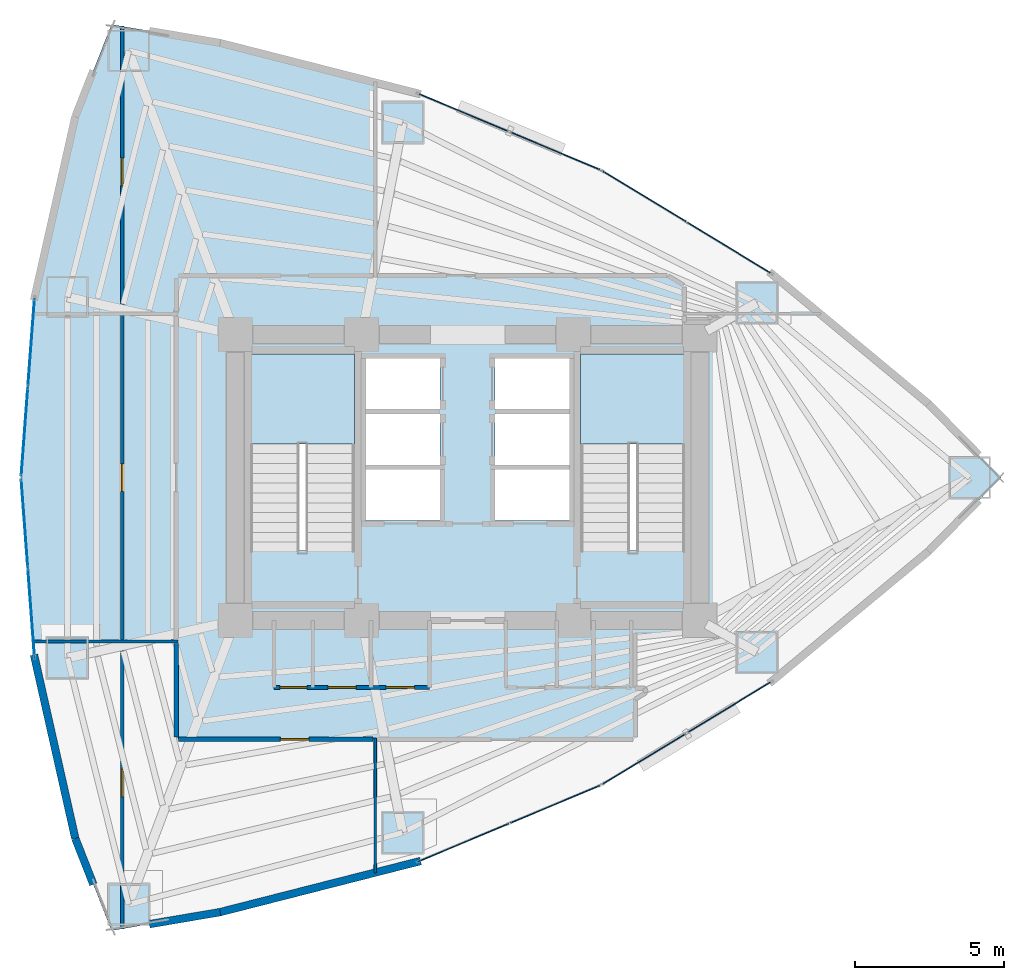
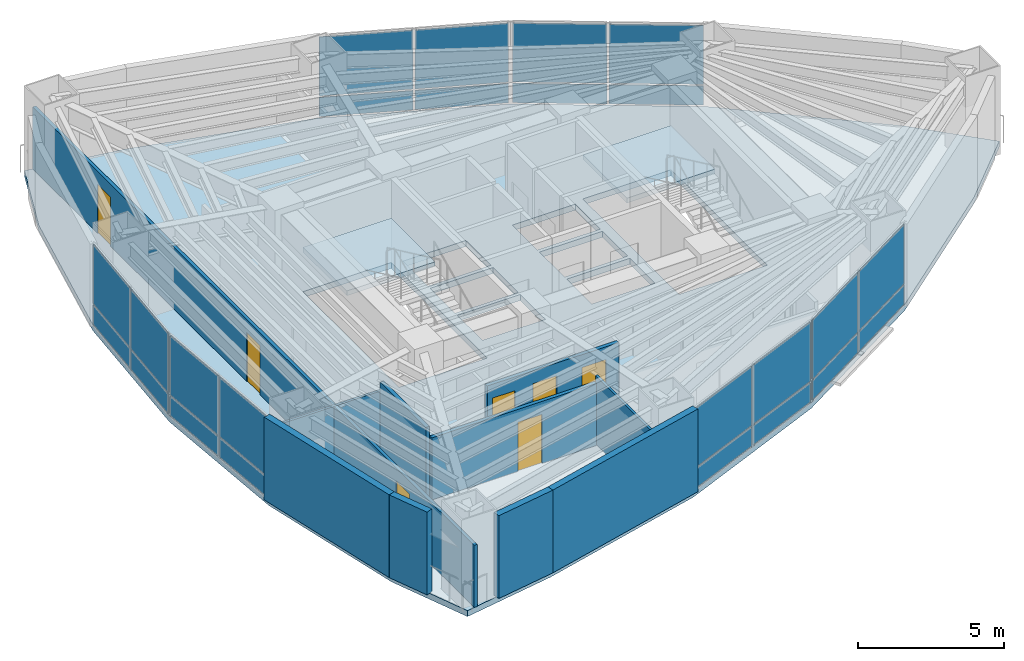
# One storey, part 13 of 17: 24 plates, 10 walls, 7 doors, 3 slabs, 7 openings, 8 elements without a shape of their own.
"""IFC4 building model written with IfcOpenShell, lengths in metres."""

from ifc_helpers import new_model, si_unit, direction, frame, frame_2d, origin, origin_2d, place, context, subcontext, project, spatial, polyline, rectangle, outline, extrude, material, layer, layer_set, type_object, element, fill, aggregate, save


model = new_model("IFC4")

# Units and contexts
model_context = context("Model", 3, precision=1e-05, world=origin(), true_north=direction((0.0, 1.0)))
body_context = subcontext(model_context, "Body", "Model", "MODEL_VIEW")
ifc_project = project(units=[si_unit("LENGTHUNIT", "METRE"), si_unit("AREAUNIT", "SQUARE_METRE"), si_unit("VOLUMEUNIT", "CUBIC_METRE"), si_unit("PLANEANGLEUNIT", "RADIAN"), si_unit("MASSUNIT", "GRAM", prefix="KILO")], contexts=[model_context])

# Site, building, storey
site_placement = place(None, origin())
site = spatial("IfcSite", under=ifc_project, at=site_placement, CompositionType="ELEMENT")
building_placement = place(site_placement, origin())
building = spatial("IfcBuilding", under=site, at=building_placement, Name="Menara Vayukalpa", CompositionType="ELEMENT")
storey_placement = place(building_placement, frame((0.0, 0.0, 42.47998046875)))
storey = spatial("IfcBuildingStorey", under=building, at=storey_placement, Name="L09", CompositionType="ELEMENT", Elevation=42.47998046875)

# Curtain wall, plates
ifc_material_1 = material(Name="Anodised Terracotta Aluminium Alloy 6063-T6", Category="masonry")
ifc_layer_1 = layer(ifc_material_1, 0.1650390625)
ifc_layer_set_1 = layer_set([ifc_layer_1], Name="Anodised Terracotta Aluminium Alloy 6063-T6")
curtain_wall_type = type_object("IfcCurtainWallType", Name="CW-CW2", PredefinedType="USERDEFINED", material=ifc_layer_set_1)
curtain_wall_1_placement = place(storey_placement, origin())
curtain_wall_1 = element("IfcCurtainWall", 1, at=curtain_wall_1_placement, inside=storey, type_object=curtain_wall_type, Name="L09 Low Rise Terracotta Ribbon Curtain Wall CW2 04", ObjectType="UNITISED", PredefinedType="USERDEFINED")
ifc_material_2 = material(Name="Low-E Double Glazing", Category="glass")
ifc_layer_2 = layer(ifc_material_2, 0.031982421875)
ifc_layer_set_2 = layer_set([ifc_layer_2], Name="Low-E Double Glazing")
plate_type = type_object("IfcPlateType", Name="CWP-CW2", PredefinedType="CURTAIN_PANEL", material=ifc_layer_set_2)
plate_1_placement = place(storey_placement, frame((34.371826171875, 29.721435546875, 0.06494140625), z_axis=(0.0, 0.0, 1.0), x_axis=(-0.854663727945, 0.519181964377, 0.0)))
plate_1 = element("IfcPlate", 2, at=plate_1_placement, type_object=plate_type, Name="CW2 panel 1.1", PredefinedType="CURTAIN_PANEL", context=body_context, shape_type="SweptSolid", body=[
    extrude(rectangle(XDim=3.24267578125, YDim=0.031982421875, at=origin_2d()), origin(), (0.0, 0.0, 1.0), 0.802490234375),
])
plate_2_placement = place(storey_placement, frame((34.371826171875, 29.721435546875, 0.9326171875), z_axis=(0.0, 0.0, 1.0), x_axis=(-0.854663727945, 0.519181964377, 0.0)))
plate_2 = element("IfcPlate", 3, at=plate_2_placement, type_object=plate_type, Name="CW2 panel 1.2", PredefinedType="CURTAIN_PANEL", context=body_context, shape_type="SweptSolid", body=[
    extrude(rectangle(XDim=3.24267578125, YDim=0.031982421875, at=origin_2d()), origin(), (0.0, 0.0, 1.0), 2.472412109375),
])
plate_3_placement = place(storey_placement, frame((31.54052734375, 31.44140625, 0.06494140625), z_axis=(0.0, 0.0, 1.0), x_axis=(-0.854663727945, 0.519181964377, 0.0)))
plate_3 = element("IfcPlate", 4, at=plate_3_placement, type_object=plate_type, Name="CW2 panel 2.1", PredefinedType="CURTAIN_PANEL", context=body_context, shape_type="SweptSolid", body=[
    extrude(rectangle(XDim=3.24267578125, YDim=0.031982421875, at=origin_2d()), origin(), (0.0, 0.0, 1.0), 0.802490234375),
])
plate_4_placement = place(storey_placement, frame((31.54052734375, 31.44140625, 0.9326171875), z_axis=(0.0, 0.0, 1.0), x_axis=(-0.854663727945, 0.519181964377, 0.0)))
plate_4 = element("IfcPlate", 5, at=plate_4_placement, type_object=plate_type, Name="CW2 panel 2.2", PredefinedType="CURTAIN_PANEL", context=body_context, shape_type="SweptSolid", body=[
    extrude(rectangle(XDim=3.24267578125, YDim=0.031982421875, at=origin_2d()), origin(), (0.0, 0.0, 1.0), 2.472412109375),
])
aggregate(curtain_wall_1, [plate_1, plate_2, plate_3, plate_4])

curtain_wall_2_placement = place(storey_placement, origin())
curtain_wall_2 = element("IfcCurtainWall", 6, at=curtain_wall_2_placement, inside=storey, type_object=curtain_wall_type, Name="L09 Low Rise Terracotta Ribbon Curtain Wall CW2 05", ObjectType="UNITISED", PredefinedType="USERDEFINED")
plate_5_placement = place(storey_placement, frame((28.534912109375, 32.97216796875, 0.06494140625), z_axis=(0.0, 0.0, 1.0), x_axis=(-0.922542658101, 0.385895120445, 0.0)))
plate_5 = element("IfcPlate", 7, at=plate_5_placement, type_object=plate_type, Name="CW2 panel 1.1", PredefinedType="CURTAIN_PANEL", context=body_context, shape_type="SweptSolid", body=[
    extrude(rectangle(XDim=3.242431640625, YDim=0.031982421875, at=origin_2d()), origin(), (0.0, 0.0, 1.0), 0.802490234375),
])
plate_6_placement = place(storey_placement, frame((28.534912109375, 32.97216796875, 0.9326171875), z_axis=(0.0, 0.0, 1.0), x_axis=(-0.922542658101, 0.385895120445, 0.0)))
plate_6 = element("IfcPlate", 8, at=plate_6_placement, type_object=plate_type, Name="CW2 panel 1.2", PredefinedType="CURTAIN_PANEL", context=body_context, shape_type="SweptSolid", body=[
    extrude(rectangle(XDim=3.242431640625, YDim=0.031982421875, at=origin_2d()), origin(), (0.0, 0.0, 1.0), 2.472412109375),
])
plate_7_placement = place(storey_placement, frame((25.478759765625, 34.250244140625, 0.06494140625), z_axis=(0.0, 0.0, 1.0), x_axis=(-0.922542658101, 0.385895120445, 0.0)))
plate_7 = element("IfcPlate", 9, at=plate_7_placement, type_object=plate_type, Name="CW2 panel 2.1", PredefinedType="CURTAIN_PANEL", context=body_context, shape_type="SweptSolid", body=[
    extrude(rectangle(XDim=3.242431640625, YDim=0.031982421875, at=origin_2d()), origin(), (0.0, 0.0, 1.0), 0.802490234375),
])
plate_8_placement = place(storey_placement, frame((25.478759765625, 34.250244140625, 0.9326171875), z_axis=(0.0, 0.0, 1.0), x_axis=(-0.922542658101, 0.385895120445, 0.0)))
plate_8 = element("IfcPlate", 10, at=plate_8_placement, type_object=plate_type, Name="CW2 panel 2.2", PredefinedType="CURTAIN_PANEL", context=body_context, shape_type="SweptSolid", body=[
    extrude(rectangle(XDim=3.242431640625, YDim=0.031982421875, at=origin_2d()), origin(), (0.0, 0.0, 1.0), 2.472412109375),
])
aggregate(curtain_wall_2, [plate_5, plate_6, plate_7, plate_8])

curtain_wall_3_placement = place(storey_placement, origin())
curtain_wall_3 = element("IfcCurtainWall", 11, at=curtain_wall_3_placement, inside=storey, type_object=curtain_wall_type, Name="L09 Low Rise Terracotta Ribbon Curtain Wall CW2 10", ObjectType="UNITISED", PredefinedType="USERDEFINED")
plate_9_placement = place(storey_placement, frame((10.94921875, 26.52734375, 0.06494140625), z_axis=(0.0, 0.0, 1.0), x_axis=(-0.074794857576, -0.997198941676, 0.0)))
plate_9 = element("IfcPlate", 12, at=plate_9_placement, type_object=plate_type, Name="CW2 panel 1.1", PredefinedType="CURTAIN_PANEL", context=body_context, shape_type="SweptSolid", body=[
    extrude(rectangle(XDim=2.933349609375, YDim=0.031982421875, at=origin_2d()), origin(), (0.0, 0.0, 1.0), 0.802490234375),
])
plate_10_placement = place(storey_placement, frame((10.94921875, 26.52734375, 0.9326171875), z_axis=(0.0, 0.0, 1.0), x_axis=(-0.074794857576, -0.997198941676, 0.0)))
plate_10 = element("IfcPlate", 13, at=plate_10_placement, type_object=plate_type, Name="CW2 panel 1.2", PredefinedType="CURTAIN_PANEL", context=body_context, shape_type="SweptSolid", body=[
    extrude(rectangle(XDim=2.933349609375, YDim=0.031982421875, at=origin_2d()), origin(), (0.0, 0.0, 1.0), 2.472412109375),
])
plate_11_placement = place(storey_placement, frame((10.724609375, 23.532470703125, 0.06494140625), z_axis=(0.0, 0.0, 1.0), x_axis=(-0.074794857576, -0.997198941676, 0.0)))
plate_11 = element("IfcPlate", 14, at=plate_11_placement, type_object=plate_type, Name="CW2 panel 2.1", PredefinedType="CURTAIN_PANEL", context=body_context, shape_type="SweptSolid", body=[
    extrude(rectangle(XDim=2.933349609375, YDim=0.031982421875, at=origin_2d()), origin(), (0.0, 0.0, 1.0), 0.802490234375),
])
plate_12_placement = place(storey_placement, frame((10.724609375, 23.532470703125, 0.9326171875), z_axis=(0.0, 0.0, 1.0), x_axis=(-0.074794857576, -0.997198941676, 0.0)))
plate_12 = element("IfcPlate", 15, at=plate_12_placement, type_object=plate_type, Name="CW2 panel 2.2", PredefinedType="CURTAIN_PANEL", context=body_context, shape_type="SweptSolid", body=[
    extrude(rectangle(XDim=2.933349609375, YDim=0.031982421875, at=origin_2d()), origin(), (0.0, 0.0, 1.0), 2.472412109375),
])
aggregate(curtain_wall_3, [plate_9, plate_10, plate_11, plate_12])

curtain_wall_4_placement = place(storey_placement, origin())
curtain_wall_4 = element("IfcCurtainWall", 16, at=curtain_wall_4_placement, inside=storey, type_object=curtain_wall_type, Name="L09 Low Rise Terracotta Ribbon Curtain Wall CW2 11", ObjectType="UNITISED", PredefinedType="USERDEFINED")
plate_13_placement = place(storey_placement, frame((10.724609375, 20.467529296875, 0.06494140625), z_axis=(0.0, 0.0, 1.0), x_axis=(0.074794857576, -0.997198941676, 0.0)))
plate_13 = element("IfcPlate", 17, at=plate_13_placement, type_object=plate_type, Name="CW2 panel 1.1", PredefinedType="CURTAIN_PANEL", context=body_context, shape_type="SweptSolid", body=[
    extrude(rectangle(XDim=2.933349609375, YDim=0.031982421875, at=origin_2d()), origin(), (0.0, 0.0, 1.0), 0.802490234375),
])
plate_14_placement = place(storey_placement, frame((10.724609375, 20.467529296875, 0.9326171875), z_axis=(0.0, 0.0, 1.0), x_axis=(0.074794857576, -0.997198941676, 0.0)))
plate_14 = element("IfcPlate", 18, at=plate_14_placement, type_object=plate_type, Name="CW2 panel 1.2", PredefinedType="CURTAIN_PANEL", context=body_context, shape_type="SweptSolid", body=[
    extrude(rectangle(XDim=2.933349609375, YDim=0.031982421875, at=origin_2d()), origin(), (0.0, 0.0, 1.0), 2.472412109375),
])
plate_15_placement = place(storey_placement, frame((10.94921875, 17.47265625, 0.06494140625), z_axis=(0.0, 0.0, 1.0), x_axis=(0.074794857576, -0.997198941676, 0.0)))
plate_15 = element("IfcPlate", 19, at=plate_15_placement, type_object=plate_type, Name="CW2 panel 2.1", PredefinedType="CURTAIN_PANEL", context=body_context, shape_type="SweptSolid", body=[
    extrude(rectangle(XDim=2.933349609375, YDim=0.031982421875, at=origin_2d()), origin(), (0.0, 0.0, 1.0), 0.802490234375),
])
plate_16_placement = place(storey_placement, frame((10.94921875, 17.47265625, 0.9326171875), z_axis=(0.0, 0.0, 1.0), x_axis=(0.074794857576, -0.997198941676, 0.0)))
plate_16 = element("IfcPlate", 20, at=plate_16_placement, type_object=plate_type, Name="CW2 panel 2.2", PredefinedType="CURTAIN_PANEL", context=body_context, shape_type="SweptSolid", body=[
    extrude(rectangle(XDim=2.933349609375, YDim=0.031982421875, at=origin_2d()), origin(), (0.0, 0.0, 1.0), 2.472412109375),
])
aggregate(curtain_wall_4, [plate_13, plate_14, plate_15, plate_16])

curtain_wall_5_placement = place(storey_placement, origin())
curtain_wall_5 = element("IfcCurtainWall", 21, at=curtain_wall_5_placement, inside=storey, type_object=curtain_wall_type, Name="L09 Low Rise Terracotta Ribbon Curtain Wall CW2 16", ObjectType="UNITISED", PredefinedType="USERDEFINED")
plate_17_placement = place(storey_placement, frame((25.478759765625, 9.749755859375, 0.06494140625), z_axis=(0.0, 0.0, 1.0), x_axis=(0.922542658101, 0.385895120445, 0.0)))
plate_17 = element("IfcPlate", 22, at=plate_17_placement, type_object=plate_type, Name="CW2 panel 1.1", PredefinedType="CURTAIN_PANEL", context=body_context, shape_type="SweptSolid", body=[
    extrude(rectangle(XDim=3.242431640625, YDim=0.031982421875, at=origin_2d()), origin(), (0.0, 0.0, 1.0), 0.802490234375),
])
plate_18_placement = place(storey_placement, frame((25.478759765625, 9.749755859375, 0.9326171875), z_axis=(0.0, 0.0, 1.0), x_axis=(0.922542658101, 0.385895120445, 0.0)))
plate_18 = element("IfcPlate", 23, at=plate_18_placement, type_object=plate_type, Name="CW2 panel 1.2", PredefinedType="CURTAIN_PANEL", context=body_context, shape_type="SweptSolid", body=[
    extrude(rectangle(XDim=3.242431640625, YDim=0.031982421875, at=origin_2d()), origin(), (0.0, 0.0, 1.0), 2.472412109375),
])
plate_19_placement = place(storey_placement, frame((28.534912109375, 11.02783203125, 0.06494140625), z_axis=(0.0, 0.0, 1.0), x_axis=(0.922542658101, 0.385895120445, 0.0)))
plate_19 = element("IfcPlate", 24, at=plate_19_placement, type_object=plate_type, Name="CW2 panel 2.1", PredefinedType="CURTAIN_PANEL", context=body_context, shape_type="SweptSolid", body=[
    extrude(rectangle(XDim=3.242431640625, YDim=0.031982421875, at=origin_2d()), origin(), (0.0, 0.0, 1.0), 0.802490234375),
])
plate_20_placement = place(storey_placement, frame((28.534912109375, 11.02783203125, 0.9326171875), z_axis=(0.0, 0.0, 1.0), x_axis=(0.922542658101, 0.385895120445, 0.0)))
plate_20 = element("IfcPlate", 25, at=plate_20_placement, type_object=plate_type, Name="CW2 panel 2.2", PredefinedType="CURTAIN_PANEL", context=body_context, shape_type="SweptSolid", body=[
    extrude(rectangle(XDim=3.242431640625, YDim=0.031982421875, at=origin_2d()), origin(), (0.0, 0.0, 1.0), 2.472412109375),
])
aggregate(curtain_wall_5, [plate_17, plate_18, plate_19, plate_20])

curtain_wall_6_placement = place(storey_placement, origin())
curtain_wall_6 = element("IfcCurtainWall", 26, at=curtain_wall_6_placement, inside=storey, type_object=curtain_wall_type, Name="L09 Low Rise Terracotta Ribbon Curtain Wall CW2 17", ObjectType="UNITISED", PredefinedType="USERDEFINED")
plate_21_placement = place(storey_placement, frame((31.54052734375, 12.55859375, 0.06494140625), z_axis=(0.0, 0.0, 1.0), x_axis=(0.854663727945, 0.519181964377, 0.0)))
plate_21 = element("IfcPlate", 27, at=plate_21_placement, type_object=plate_type, Name="CW2 panel 1.1", PredefinedType="CURTAIN_PANEL", context=body_context, shape_type="SweptSolid", body=[
    extrude(rectangle(XDim=3.24267578125, YDim=0.031982421875, at=origin_2d()), origin(), (0.0, 0.0, 1.0), 0.802490234375),
])
plate_22_placement = place(storey_placement, frame((31.54052734375, 12.55859375, 0.9326171875), z_axis=(0.0, 0.0, 1.0), x_axis=(0.854663727945, 0.519181964377, 0.0)))
plate_22 = element("IfcPlate", 28, at=plate_22_placement, type_object=plate_type, Name="CW2 panel 1.2", PredefinedType="CURTAIN_PANEL", context=body_context, shape_type="SweptSolid", body=[
    extrude(rectangle(XDim=3.24267578125, YDim=0.031982421875, at=origin_2d()), origin(), (0.0, 0.0, 1.0), 2.472412109375),
])
plate_23_placement = place(storey_placement, frame((34.371826171875, 14.278564453125, 0.06494140625), z_axis=(0.0, 0.0, 1.0), x_axis=(0.854663727945, 0.519181964377, 0.0)))
plate_23 = element("IfcPlate", 29, at=plate_23_placement, type_object=plate_type, Name="CW2 panel 2.1", PredefinedType="CURTAIN_PANEL", context=body_context, shape_type="SweptSolid", body=[
    extrude(rectangle(XDim=3.24267578125, YDim=0.031982421875, at=origin_2d()), origin(), (0.0, 0.0, 1.0), 0.802490234375),
])
plate_24_placement = place(storey_placement, frame((34.371826171875, 14.278564453125, 0.9326171875), z_axis=(0.0, 0.0, 1.0), x_axis=(0.854663727945, 0.519181964377, 0.0)))
plate_24 = element("IfcPlate", 30, at=plate_24_placement, type_object=plate_type, Name="CW2 panel 2.2", PredefinedType="CURTAIN_PANEL", context=body_context, shape_type="SweptSolid", body=[
    extrude(rectangle(XDim=3.24267578125, YDim=0.031982421875, at=origin_2d()), origin(), (0.0, 0.0, 1.0), 2.472412109375),
])
aggregate(curtain_wall_6, [plate_21, plate_22, plate_23, plate_24])

# Slab
ifc_material_3 = material(Name="Concrete C40/50", Category="concrete")
ifc_layer_3 = layer(ifc_material_3, 0.25)
ifc_layer_set_3 = layer_set([ifc_layer_3], Name="Concrete C40/50")
slab_type_1 = type_object("IfcSlabType", Name="SLB-FL250", PredefinedType="FLOOR", material=ifc_layer_set_3)
slab_1_placement = place(storey_placement, frame((0.0, 0.0, -0.25)))
element("IfcSlab", 31, at=slab_1_placement, inside=storey, type_object=slab_type_1, Name="L09 Structural Floor Slab", PredefinedType="FLOOR", context=body_context, shape_type="SweptSolid", body=[
    extrude(outline(polyline([(41.084716796875, 19.52490234375), (43.514892578125, 22.0), (41.084716796875, 24.47509765625), (35.817138671875, 28.843505859375), (30.09521484375, 32.3193359375), (23.918701171875, 34.903076171875), (17.28759765625, 36.59423828125), (13.642578125, 37.212890625), (12.427490234375, 34.119140625), (11.064208984375, 28.0595703125), (10.609619140625, 22.0), (11.064208984375, 15.9404296875), (12.427490234375, 9.880859375), (13.642578125, 6.787109375), (17.28759765625, 7.40576171875), (23.918701171875, 9.096923828125), (30.09521484375, 11.6806640625), (35.817138671875, 15.156494140625), (41.084716796875, 19.52490234375)]), holes=[polyline([(21.800048828125, 19.550048828125), (21.800048828125, 26.14990234375), (18.300048828125, 26.14990234375), (18.300048828125, 19.550048828125), (21.800048828125, 19.550048828125)]), polyline([(32.89990234375, 19.550048828125), (32.89990234375, 26.14990234375), (29.39990234375, 26.14990234375), (29.39990234375, 19.550048828125), (32.89990234375, 19.550048828125)]), polyline([(22.179931640625, 20.550048828125), (24.679931640625, 20.550048828125), (24.679931640625, 22.27001953125), (22.179931640625, 22.27001953125), (22.179931640625, 20.550048828125)]), polyline([(26.52001953125, 20.550048828125), (29.02001953125, 20.550048828125), (29.02001953125, 22.27001953125), (26.52001953125, 22.27001953125), (26.52001953125, 20.550048828125)]), polyline([(22.179931640625, 22.419921875), (24.679931640625, 22.419921875), (24.679931640625, 24.139892578125), (22.179931640625, 24.139892578125), (22.179931640625, 22.419921875)]), polyline([(22.179931640625, 24.2900390625), (24.679931640625, 24.2900390625), (24.679931640625, 26.010009765625), (22.179931640625, 26.010009765625), (22.179931640625, 24.2900390625)]), polyline([(26.52001953125, 24.2900390625), (29.02001953125, 24.2900390625), (29.02001953125, 26.010009765625), (26.52001953125, 26.010009765625), (26.52001953125, 24.2900390625)]), polyline([(26.52001953125, 22.419921875), (29.02001953125, 22.419921875), (29.02001953125, 24.139892578125), (26.52001953125, 24.139892578125), (26.52001953125, 22.419921875)])]), origin(), (0.0, 0.0, 1.0), 0.25),
])

# Stair, slab
ifc_material_4 = material(Name="Precast Concrete C40/50", Category="concrete")
stair_type = type_object("IfcStairType", Name="STR-T04", PredefinedType="DOUBLE_RETURN_STAIR", material=ifc_material_4)
stair_1_placement = place(storey_placement, origin())
stair_1 = element("IfcStair", 32, at=stair_1_placement, inside=storey, type_object=stair_type, Name="L09 Core Exit Stair ST-1", PredefinedType="DOUBLE_RETURN_STAIR")
ifc_material_5 = material(Name="Precast Concrete C40/50", Category="concrete")
ifc_layer_4 = layer(ifc_material_5, 0.199951171875)
ifc_layer_set_4 = layer_set([ifc_layer_4], Name="Precast Concrete C40/50")
slab_type_2 = type_object("IfcSlabType", Name="SLB-LND200", PredefinedType="LANDING", material=ifc_layer_set_4)
slab_2_placement = place(storey_placement, frame((0.0, 0.0, 1.659912109375)))
slab_2 = element("IfcSlab", 33, at=slab_2_placement, type_object=slab_type_2, Name="ST-1 landing 1", PredefinedType="LANDING", context=body_context, shape_type="SweptSolid", body=[
    extrude(outline(polyline([(21.800048828125, 23.1298828125), (21.800048828125, 26.14990234375), (18.300048828125, 26.14990234375), (18.300048828125, 23.1298828125), (21.800048828125, 23.1298828125)])), origin(), (0.0, 0.0, 1.0), 0.2001953125),
])
aggregate(stair_1, [slab_2])

stair_2_placement = place(storey_placement, origin())
stair_2 = element("IfcStair", 34, at=stair_2_placement, inside=storey, type_object=stair_type, Name="L09 Core Exit Stair ST-2", PredefinedType="DOUBLE_RETURN_STAIR")
slab_3_placement = place(storey_placement, frame((0.0, 0.0, 1.659912109375)))
slab_3 = element("IfcSlab", 35, at=slab_3_placement, type_object=slab_type_2, Name="ST-2 landing 1", PredefinedType="LANDING", context=body_context, shape_type="SweptSolid", body=[
    extrude(outline(polyline([(32.89990234375, 23.1298828125), (32.89990234375, 26.14990234375), (29.39990234375, 26.14990234375), (29.39990234375, 23.1298828125), (32.89990234375, 23.1298828125)])), origin(), (0.0, 0.0, 1.0), 0.2001953125),
])
aggregate(stair_2, [slab_3])

# Walls
ifc_material_6 = material(Name="Insulated Precast Concrete C40/50", Category="concrete")
ifc_layer_5 = layer(ifc_material_6, 0.260009765625)
ifc_layer_set_5 = layer_set([ifc_layer_5], Name="Insulated Precast Concrete C40/50")
wall_type_1 = type_object("IfcWallType", Name="WAL-EXT260", PredefinedType="PARTITIONING", material=ifc_layer_set_5)
wall_1_placement = place(storey_placement, frame((12.427490234375, 9.880859375, 0.0), z_axis=(0.0, 0.0, 1.0), x_axis=(-0.219502085231, 0.975612030768, 0.0)))
element("IfcWall", 36, at=wall_1_placement, inside=storey, type_object=wall_type_1, Name="L09 Perimeter Terracotta Pier Wall 12", PredefinedType="PARTITIONING", context=body_context, shape_type="SweptSolid", body=[
    extrude(rectangle(XDim=6.32080078125, YDim=0.260009765625, at=frame_2d((3.160400390625, 0.0))), origin(), (0.0, 0.0, 1.0), 3.469970703125),
])
wall_2_placement = place(storey_placement, frame((13.033203125, 8.339111328125, 0.0), z_axis=(0.0, 0.0, 1.0), x_axis=(-0.365666052462, 0.930746119023, 0.0)))
element("IfcWall", 37, at=wall_2_placement, inside=storey, type_object=wall_type_1, Name="L09 Perimeter Terracotta Pier Wall 13", PredefinedType="PARTITIONING", context=body_context, shape_type="SweptSolid", body=[
    extrude(rectangle(XDim=1.656494140625, YDim=0.260009765625, at=frame_2d((0.828125, 0.0))), origin(), (0.0, 0.0, 1.0), 3.469970703125),
])
wall_3_placement = place(storey_placement, frame((17.29345703125, 7.40673828125, 0.0), z_axis=(0.0, 0.0, 1.0), x_axis=(-0.985905469923, -0.167303330437, 0.0)))
element("IfcWall", 38, at=wall_3_placement, inside=storey, type_object=wall_type_1, Name="L09 Perimeter Terracotta Pier Wall 14", PredefinedType="PARTITIONING", context=body_context, shape_type="SweptSolid", body=[
    extrude(rectangle(XDim=2.412109375, YDim=0.260009765625, at=frame_2d((1.2060546875, 0.0))), origin(), (0.0, 0.0, 1.0), 3.469970703125),
])
wall_4_placement = place(storey_placement, frame((24.025146484375, 9.124267578125, 0.0), z_axis=(0.0, 0.0, 1.0), x_axis=(-0.968977974408, -0.247147092057, 0.0)))
element("IfcWall", 39, at=wall_4_placement, inside=storey, type_object=wall_type_1, Name="L09 Perimeter Terracotta Pier Wall 15", PredefinedType="PARTITIONING", context=body_context, shape_type="SweptSolid", body=[
    extrude(rectangle(XDim=6.959228515625, YDim=0.260009765625, at=frame_2d((3.4794921875, 0.0))), origin(), (0.0, 0.0, 1.0), 3.469970703125),
])
ifc_material_7 = material(Name="Glazed Demountable Office Partition", Category="glass")
ifc_layer_6 = layer(ifc_material_7, 0.094970703125)
ifc_layer_set_6 = layer_set([ifc_layer_6], Name="Glazed Demountable Office Partition")
wall_type_2 = type_object("IfcWallType", Name="WAL-PT100", PredefinedType="PARTITIONING", material=ifc_layer_set_6)
wall_5_placement = place(storey_placement, frame((22.5, 8.724853515625, 0.0), z_axis=(0.0, 0.0, 1.0), x_axis=(0.0, 1.0, 0.0)))
element("IfcWall", 40, at=wall_5_placement, inside=storey, type_object=wall_type_2, Name="L09 Interior Partition IW-L09-RDIV02", PredefinedType="PARTITIONING", context=body_context, shape_type="SweptSolid", body=[
    extrude(rectangle(XDim=4.53515625, YDim=0.094970703125, at=frame_2d((2.267578125, 0.0))), origin(), (0.0, 0.0, 1.0), 2.85009765625),
])
wall_6_placement = place(storey_placement, frame((11.01220703125, 16.5, 0.0), z_axis=(0.0, 0.0, 1.0), x_axis=(1.0, 0.0, 0.0)))
element("IfcWall", 41, at=wall_6_placement, inside=storey, type_object=wall_type_2, Name="L09 Interior Partition IW-L09-RDIV04", PredefinedType="PARTITIONING", context=body_context, shape_type="SweptSolid", body=[
    extrude(rectangle(XDim=4.85791015625, YDim=0.094970703125, at=frame_2d((2.428955078125, 0.0))), origin(), (0.0, 0.0, 1.0), 2.60009765625),
])

# Wall, openings, doors
ifc_material_8 = material(Name="Gypsum Drywall Steel Stud Assembly", Category="steel")
ifc_layer_7 = layer(ifc_material_8, 0.125)
ifc_layer_set_7 = layer_set([ifc_layer_7], Name="Gypsum Drywall Steel Stud Assembly")
wall_type_3 = type_object("IfcWallType", Name="WAL-PT125", PredefinedType="PARTITIONING", material=ifc_layer_set_7)
wall_7_placement = place(storey_placement, frame((14.0, 6.837646484375, 0.0), z_axis=(0.0, 0.0, 1.0), x_axis=(0.0, 1.0, 0.0)))
wall_7 = element("IfcWall", 42, at=wall_7_placement, inside=storey, type_object=wall_type_3, Name="L09 Interior Partition IW-L09-RDIV01", PredefinedType="PARTITIONING", context=body_context, shape_type="SweptSolid", body=[
    extrude(rectangle(XDim=30.32470703125, YDim=0.125, at=frame_2d((15.162353515625, 0.0))), origin(), (0.0, 0.0, 1.0), 2.60009765625),
])
opening_1_placement = place(wall_7_placement, frame((4.4404296875, 0.0, 0.0)))
opening_1 = element("IfcOpeningElement", 43, at=opening_1_placement, cuts=wall_7, Name="Opening ID6", PredefinedType="OPENING", context=body_context, shape_type="SweptSolid", body=[
    extrude(rectangle(XDim=0.919921875, YDim=2.050048828125, at=frame_2d((0.4599609375, 1.02490234375))), frame((0.0, 0.072509765625, 0.0), z_axis=(0.0, -1.0, 0.0), x_axis=(1.0, 0.0, 0.0)), (0.0, 0.0, 1.0), 0.14501953125),
])
opening_2_placement = place(wall_7_placement, frame((24.964599609375, 0.0, 0.0)))
opening_2 = element("IfcOpeningElement", 44, at=opening_2_placement, cuts=wall_7, Name="Opening ID6", PredefinedType="OPENING", context=body_context, shape_type="SweptSolid", body=[
    extrude(rectangle(XDim=0.919921875, YDim=2.050048828125, at=frame_2d((0.4599609375, 1.02490234375))), frame((0.0, 0.072509765625, 0.0), z_axis=(0.0, -1.0, 0.0), x_axis=(1.0, 0.0, 0.0)), (0.0, 0.0, 1.0), 0.14501953125),
])
opening_3_placement = place(wall_7_placement, frame((14.702392578125, 0.0, 0.0)))
opening_3 = element("IfcOpeningElement", 45, at=opening_3_placement, cuts=wall_7, Name="Opening ID6", PredefinedType="OPENING", context=body_context, shape_type="SweptSolid", body=[
    extrude(rectangle(XDim=0.919921875, YDim=2.050048828125, at=frame_2d((0.4599609375, 1.02490234375))), frame((0.0, 0.072509765625, 0.0), z_axis=(0.0, -1.0, 0.0), x_axis=(1.0, 0.0, 0.0)), (0.0, 0.0, 1.0), 0.14501953125),
])
ifc_material_9 = material(Name="Acoustic Hardwood Veneer Timber Door", Category="wood")
door_type_1 = type_object("IfcDoorType", Name="DR-INT92", OperationType="NOTDEFINED", PredefinedType="DOOR", material=ifc_material_9)
door_1_placement = place(opening_1_placement, origin())
door_1 = element("IfcDoor", 46, at=door_1_placement, inside=storey, type_object=door_type_1, Name="L09 Interior Door DR-L09-STE01", OperationType="SINGLE_SWING_RIGHT", OverallHeight=2.050048828125, OverallWidth=0.919921875, PredefinedType="DOOR", context=body_context, shape_type="SweptSolid", body=[
    extrude(rectangle(XDim=0.919921875, YDim=2.050048828125, at=frame_2d((0.4599609375, 1.02490234375))), frame((0.0, 0.02490234375, 0.0), z_axis=(0.0, -1.0, 0.0), x_axis=(1.0, 0.0, 0.0)), (0.0, 0.0, 1.0), 0.050048828125),
])
fill(opening_1, door_1)
door_2_placement = place(opening_2_placement, origin())
door_2 = element("IfcDoor", 47, at=door_2_placement, inside=storey, type_object=door_type_1, Name="L09 Interior Door DR-L09-STE07", OperationType="SINGLE_SWING_LEFT", OverallHeight=2.050048828125, OverallWidth=0.919921875, PredefinedType="DOOR", context=body_context, shape_type="SweptSolid", body=[
    extrude(rectangle(XDim=0.919921875, YDim=2.050048828125, at=frame_2d((0.4599609375, 1.02490234375))), frame((0.0, 0.02490234375, 0.0), z_axis=(0.0, -1.0, 0.0), x_axis=(1.0, 0.0, 0.0)), (0.0, 0.0, 1.0), 0.050048828125),
])
fill(opening_2, door_2)
door_3_placement = place(opening_3_placement, origin())
door_3 = element("IfcDoor", 48, at=door_3_placement, inside=storey, type_object=door_type_1, Name="L09 Interior Door DR-L09-STE08", OperationType="SINGLE_SWING_RIGHT", OverallHeight=2.050048828125, OverallWidth=0.919921875, PredefinedType="DOOR", context=body_context, shape_type="SweptSolid", body=[
    extrude(rectangle(XDim=0.919921875, YDim=2.050048828125, at=frame_2d((0.4599609375, 1.02490234375))), frame((0.0, 0.02490234375, 0.0), z_axis=(0.0, -1.0, 0.0), x_axis=(1.0, 0.0, 0.0)), (0.0, 0.0, 1.0), 0.050048828125),
])
fill(opening_3, door_3)

ifc_material_10 = material(Name="Gypsum Drywall Acoustic Stud Assembly", Category="masonry")
ifc_layer_8 = layer(ifc_material_10, 0.14501953125)
ifc_layer_set_8 = layer_set([ifc_layer_8], Name="Gypsum Drywall Acoustic Stud Assembly")
wall_type_4 = type_object("IfcWallType", Name="WAL-PT150", PredefinedType="PARTITIONING", material=ifc_layer_set_8)
wall_8_placement = place(storey_placement, frame((19.10009765625, 14.949951171875, 0.0), z_axis=(0.0, 0.0, 1.0), x_axis=(1.0, 0.0, 0.0)))
wall_8 = element("IfcWall", 49, at=wall_8_placement, inside=storey, type_object=wall_type_4, Name="L09 Interior Partition IW-L09-SVCS-W", PredefinedType="PARTITIONING", context=body_context, shape_type="SweptSolid", body=[
    extrude(rectangle(XDim=5.219970703125, YDim=0.14501953125, at=frame_2d((2.60986328125, 0.0))), origin(), (0.0, 0.0, 1.0), 2.60009765625),
])
opening_4_placement = place(wall_8_placement, frame((0.199951171875, 0.0, 0.0)))
opening_4 = element("IfcOpeningElement", 50, at=opening_4_placement, cuts=wall_8, Name="Opening ID7", PredefinedType="OPENING", context=body_context, shape_type="SweptSolid", body=[
    extrude(rectangle(XDim=0.89990234375, YDim=2.02001953125, at=frame_2d((0.449951171875, 1.010009765625))), frame((0.0, 0.08251953125, 0.0), z_axis=(0.0, -1.0, 0.0), x_axis=(1.0, 0.0, 0.0)), (0.0, 0.0, 1.0), 0.1650390625),
])
opening_5_placement = place(wall_8_placement, frame((1.804931640625, 0.0, 0.0)))
opening_5 = element("IfcOpeningElement", 51, at=opening_5_placement, cuts=wall_8, Name="Opening ID5", PredefinedType="OPENING", context=body_context, shape_type="SweptSolid", body=[
    extrude(rectangle(XDim=0.949951171875, YDim=2.06005859375, at=frame_2d((0.47509765625, 1.030029296875))), frame((0.0, 0.08251953125, 0.0), z_axis=(0.0, -1.0, 0.0), x_axis=(1.0, 0.0, 0.0)), (0.0, 0.0, 1.0), 0.1650390625),
])
opening_6_placement = place(wall_8_placement, frame((3.764892578125, 0.0, 0.0)))
opening_6 = element("IfcOpeningElement", 52, at=opening_6_placement, cuts=wall_8, Name="Opening ID5", PredefinedType="OPENING", context=body_context, shape_type="SweptSolid", body=[
    extrude(rectangle(XDim=0.949951171875, YDim=2.06005859375, at=frame_2d((0.47509765625, 1.030029296875))), frame((0.0, 0.08251953125, 0.0), z_axis=(0.0, -1.0, 0.0), x_axis=(1.0, 0.0, 0.0)), (0.0, 0.0, 1.0), 0.1650390625),
])
ifc_material_11 = material(Name="Acoustic Hardwood Veneer Timber Door", Category="wood")
door_type_2 = type_object("IfcDoorType", Name="DR-INT95", OperationType="NOTDEFINED", PredefinedType="DOOR", material=ifc_material_11)
door_4_placement = place(opening_5_placement, origin())
door_4 = element("IfcDoor", 53, at=door_4_placement, inside=storey, type_object=door_type_2, Name="L09 Interior Door DR-L09-AWC", OperationType="SINGLE_SWING_RIGHT", OverallHeight=2.06005859375, OverallWidth=0.949951171875, PredefinedType="DOOR", context=body_context, shape_type="SweptSolid", body=[
    extrude(rectangle(XDim=0.949951171875, YDim=2.06005859375, at=frame_2d((0.47509765625, 1.030029296875))), frame((0.0, 0.02490234375, 0.0), z_axis=(0.0, -1.0, 0.0), x_axis=(1.0, 0.0, 0.0)), (0.0, 0.0, 1.0), 0.050048828125),
])
fill(opening_5, door_4)
door_5_placement = place(opening_6_placement, origin())
door_5 = element("IfcDoor", 54, at=door_5_placement, inside=storey, type_object=door_type_2, Name="L09 Interior Door DR-L09-SWC", OperationType="SINGLE_SWING_LEFT", OverallHeight=2.06005859375, OverallWidth=0.949951171875, PredefinedType="DOOR", context=body_context, shape_type="SweptSolid", body=[
    extrude(rectangle(XDim=0.949951171875, YDim=2.06005859375, at=frame_2d((0.47509765625, 1.030029296875))), frame((0.0, 0.02490234375, 0.0), z_axis=(0.0, -1.0, 0.0), x_axis=(1.0, 0.0, 0.0)), (0.0, 0.0, 1.0), 0.050048828125),
])
fill(opening_6, door_5)
ifc_material_12 = material(Name="Powder-Coated Steel Riser Access Door", Category="steel")
door_type_3 = type_object("IfcDoorType", Name="DR-RISER", OperationType="NOTDEFINED", PredefinedType="DOOR", material=ifc_material_12)
door_6_placement = place(opening_4_placement, origin())
door_6 = element("IfcDoor", 55, at=door_6_placement, inside=storey, type_object=door_type_3, Name="L09 Interior Door DR-L09-ELR", OperationType="SINGLE_SWING_LEFT", OverallHeight=2.02001953125, OverallWidth=0.89990234375, PredefinedType="DOOR", context=body_context, shape_type="SweptSolid", body=[
    extrude(rectangle(XDim=0.89990234375, YDim=2.02001953125, at=frame_2d((0.449951171875, 1.010009765625))), frame((0.0, 0.02490234375, 0.0), z_axis=(0.0, -1.0, 0.0), x_axis=(1.0, 0.0, 0.0)), (0.0, 0.0, 1.0), 0.050048828125),
])
fill(opening_4, door_6)

# Wall
wall_9_placement = place(storey_placement, frame((15.820068359375, 16.429931640625, 0.0), z_axis=(0.0, 0.0, 1.0), x_axis=(0.0, -1.0, 0.0)))
element("IfcWall", 56, at=wall_9_placement, inside=storey, type_object=wall_type_4, Name="L09 Interior Partition IW-L09-CRM03-1", PredefinedType="PARTITIONING", context=body_context, shape_type="SweptSolid", body=[
    extrude(rectangle(XDim=3.139892578125, YDim=0.14501953125, at=frame_2d((1.56982421875, 0.0))), origin(), (0.0, 0.0, 1.0), 3.0),
])

# Wall, opening, door
wall_10_placement = place(storey_placement, frame((15.89990234375, 13.2099609375, 0.0), z_axis=(0.0, 0.0, 1.0), x_axis=(1.0, 0.0, 0.0)))
wall_10 = element("IfcWall", 57, at=wall_10_placement, inside=storey, type_object=wall_type_4, Name="L09 Interior Partition IW-L09-CRM03-2", PredefinedType="PARTITIONING", context=body_context, shape_type="SweptSolid", body=[
    extrude(rectangle(XDim=6.530029296875, YDim=0.14501953125, at=frame_2d((3.26513671875, 0.0))), origin(), (0.0, 0.0, 1.0), 2.60009765625),
])
opening_7_placement = place(wall_10_placement, frame((3.41748046875, 0.0, 0.0)))
opening_7 = element("IfcOpeningElement", 58, at=opening_7_placement, cuts=wall_10, Name="Opening ID5", PredefinedType="OPENING", context=body_context, shape_type="SweptSolid", body=[
    extrude(rectangle(XDim=0.949951171875, YDim=2.06005859375, at=frame_2d((0.47509765625, 1.030029296875))), frame((0.0, 0.08251953125, 0.0), z_axis=(0.0, -1.0, 0.0), x_axis=(1.0, 0.0, 0.0)), (0.0, 0.0, 1.0), 0.1650390625),
])
door_7_placement = place(opening_7_placement, origin())
door_7 = element("IfcDoor", 59, at=door_7_placement, inside=storey, type_object=door_type_2, Name="L09 Interior Door DR-L09-RM03", OperationType="SINGLE_SWING_LEFT", OverallHeight=2.06005859375, OverallWidth=0.949951171875, PredefinedType="DOOR", context=body_context, shape_type="SweptSolid", body=[
    extrude(rectangle(XDim=0.949951171875, YDim=2.06005859375, at=frame_2d((0.47509765625, 1.030029296875))), frame((0.0, 0.02490234375, 0.0), z_axis=(0.0, -1.0, 0.0), x_axis=(1.0, 0.0, 0.0)), (0.0, 0.0, 1.0), 0.050048828125),
])
fill(opening_7, door_7)

save(model, "model.ifc")
